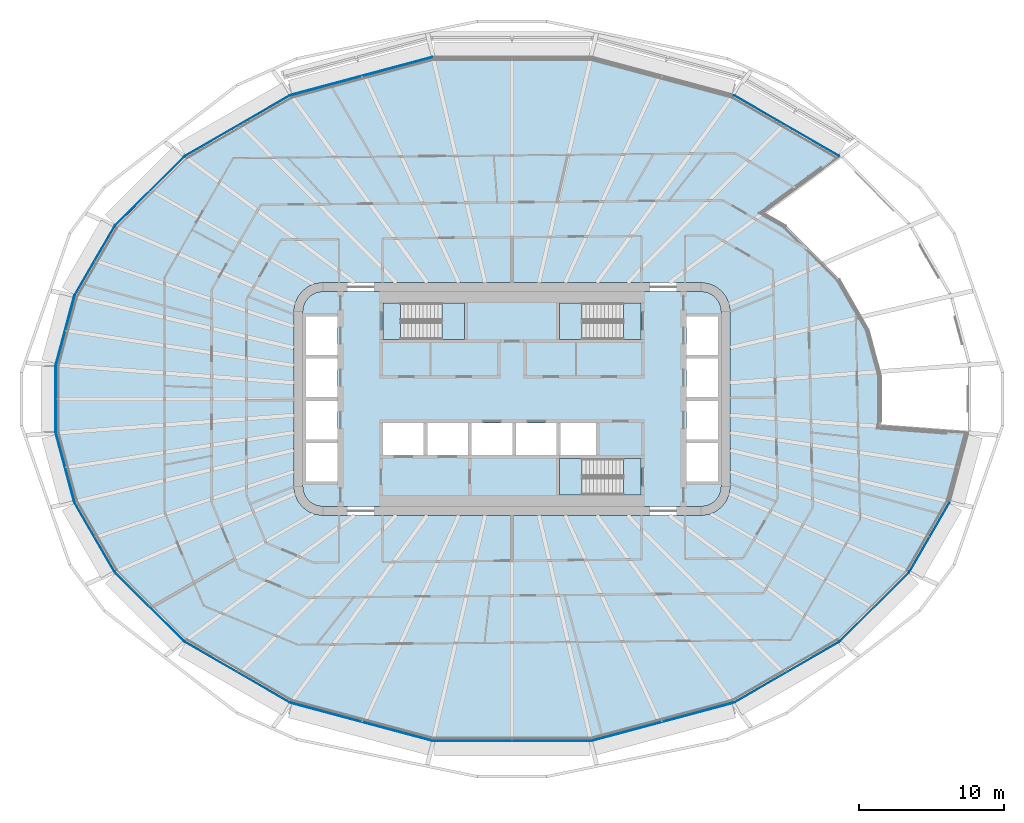
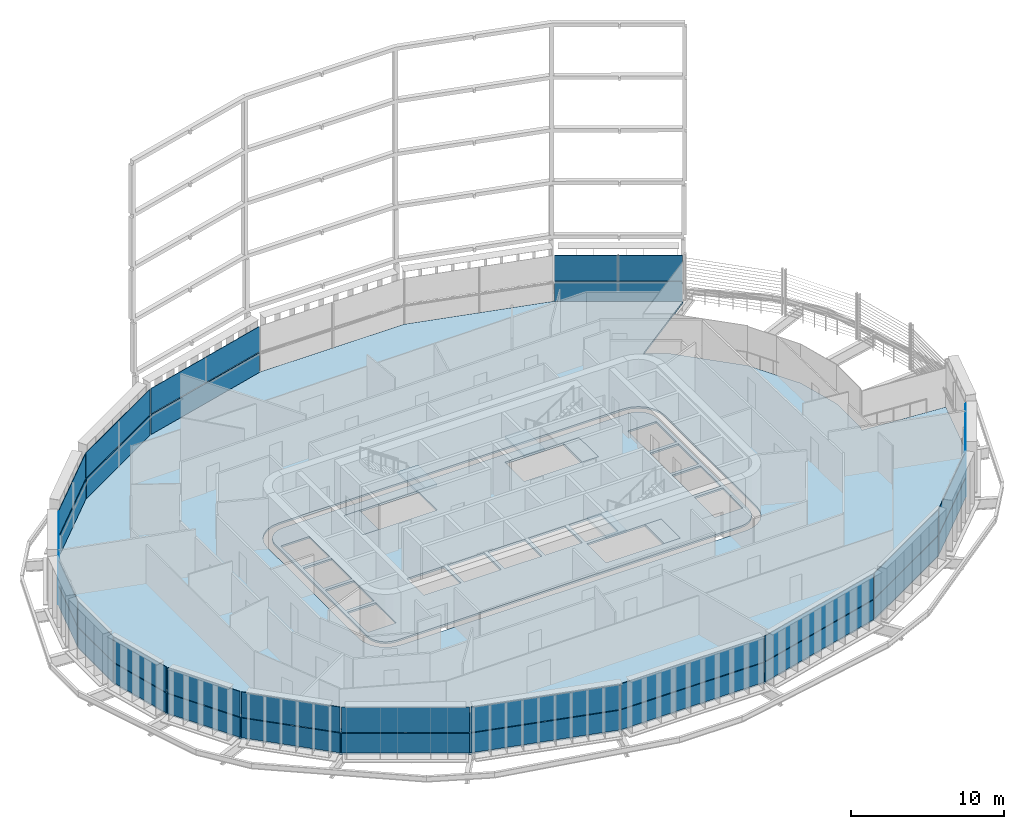
# One storey, part 13 of 28: 34 plates, 8 slabs, 20 elements without a shape of their own.
"""IFC4 building model written with IfcOpenShell, lengths in metres."""

from ifc_helpers import new_model, si_unit, direction, frame, origin, place, context, subcontext, project, spatial, polyline, outline, extrude, material, layer, layer_set, type_object, element, aggregate, save


model = new_model("IFC4")

# Units and contexts
model_context = context("Model", 3, precision=1e-05, world=origin(), true_north=direction((0.0, 1.0)))
body_context = subcontext(model_context, "Body", "Model", "MODEL_VIEW")
ifc_project = project(units=[si_unit("LENGTHUNIT", "METRE"), si_unit("AREAUNIT", "SQUARE_METRE"), si_unit("VOLUMEUNIT", "CUBIC_METRE"), si_unit("PLANEANGLEUNIT", "RADIAN"), si_unit("MASSUNIT", "GRAM", prefix="KILO")], contexts=[model_context])

# Site, building, storey
site_placement = place(None, origin())
site = spatial("IfcSite", under=ifc_project, at=site_placement, CompositionType="ELEMENT")
building_placement = place(site_placement, origin())
building = spatial("IfcBuilding", under=site, at=building_placement, Name="Sahrelin Media Tower", CompositionType="ELEMENT")
storey_placement = place(building_placement, frame((0.0, 0.0, 75.60009765625)))
storey = spatial("IfcBuildingStorey", under=building, at=storey_placement, Name="L13", CompositionType="ELEMENT", Elevation=75.60009765625)

# Slabs
ifc_material_1 = material(Name="Concrete C40/50", Category="concrete")
ifc_layer_1 = layer(ifc_material_1, 0.14990234375)
ifc_layer_set_1 = layer_set([ifc_layer_1], Name="Composite floor slab 150")
slab_type_1 = type_object("IfcSlabType", Name="Composite floor slab 150", PredefinedType="FLOOR", material=ifc_layer_set_1)
placement_1 = place(storey_placement, frame((0.0, 0.0, -0.150146484375)))
element("IfcSlab", 1, at=placement_1, inside=storey, type_object=slab_type_1, Name="Floor slab L13", PredefinedType="FLOOR", context=body_context, shape_type="SweptSolid", body=[
    extrude(outline(polyline([(30.08544921875, -7.060302734375), (31.3505859375, -2.33837890625), (25.281005859375, -1.8857421875), (25.37109375, -1.550048828125), (25.37109375, 1.550048828125), (24.512939453125, 4.752197265625), (22.517333984375, 8.208740234375), (18.845947265625, 11.880126953125), (17.2724609375, 12.78857421875), (22.5126953125, 16.668212890625), (15.208984375, 20.88525390625), (5.433837890625, 23.50439453125), (-5.433837890625, 23.50439453125), (-15.208984375, 20.88525390625), (-22.517822265625, 16.665283203125), (-27.302490234375, 11.880615234375), (-30.08544921875, 7.060302734375), (-31.35107421875, 2.33740234375), (-31.35107421875, -2.33740234375), (-30.08544921875, -7.060302734375), (-27.302490234375, -11.880615234375), (-22.517822265625, -16.665283203125), (-15.208984375, -20.88525390625), (-5.433837890625, -23.50439453125), (5.433837890625, -23.50439453125), (15.208984375, -20.88525390625), (22.517822265625, -16.665283203125), (27.302490234375, -11.880615234375), (30.08544921875, -7.060302734375)]), holes=[polyline([(14.732177734375, 7.0), (14.931884765625, 6.517578125), (15.0, 6.0), (15.0, -6.0), (14.931884765625, -6.517578125), (14.732177734375, -7.0), (14.414306640625, -7.414306640625), (14.0, -7.732177734375), (13.517578125, -7.931884765625), (13.0, -8.0), (-13.0, -8.0), (-13.517578125, -7.931884765625), (-14.0, -7.732177734375), (-14.414306640625, -7.414306640625), (-14.732177734375, -7.0), (-14.931884765625, -6.517578125), (-15.0, -6.0), (-15.0, 6.0), (-14.931884765625, 6.517578125), (-14.732177734375, 7.0), (-14.414306640625, 7.414306640625), (-14.0, 7.732177734375), (-13.517578125, 7.931884765625), (-13.0, 8.0), (13.0, 8.0), (13.517578125, 7.931884765625), (14.0, 7.732177734375), (14.414306640625, 7.414306640625), (14.732177734375, 7.0)])]), origin(), (0.0, 0.0, 1.0), 0.150146484375),
])
ifc_layer_2 = layer(ifc_material_1, 0.14990234375)
ifc_layer_set_2 = layer_set([ifc_layer_2], Name="Core floor slab 150")
slab_type_2 = type_object("IfcSlabType", Name="Core floor slab 150", PredefinedType="FLOOR", material=ifc_layer_set_2)
element("IfcSlab", 2, at=placement_1, inside=storey, type_object=slab_type_2, Name="Core floor", PredefinedType="FLOOR", context=body_context, shape_type="SweptSolid", body=[
    extrude(outline(polyline([(-14.347412109375, 6.361083984375), (-14.39990234375, 5.960693359375), (-14.39990234375, -5.960693359375), (-14.347412109375, -6.361083984375), (-14.2080078125, -6.697509765625), (-13.986328125, -6.986328125), (-13.697509765625, -7.2080078125), (-13.361083984375, -7.347412109375), (-12.960693359375, -7.39990234375), (12.960693359375, -7.39990234375), (13.361083984375, -7.347412109375), (13.697509765625, -7.2080078125), (13.986328125, -6.986328125), (14.2080078125, -6.697509765625), (14.347412109375, -6.361083984375), (14.39990234375, -5.960693359375), (14.39990234375, 5.960693359375), (14.347412109375, 6.361083984375), (14.2080078125, 6.697509765625), (13.986328125, 6.986328125), (13.697509765625, 7.2080078125), (13.361083984375, 7.347412109375), (12.960693359375, 7.39990234375), (-12.960693359375, 7.39990234375), (-13.361083984375, 7.347412109375), (-13.697509765625, 7.2080078125), (-13.986328125, 6.986328125), (-14.2080078125, 6.697509765625), (-14.347412109375, 6.361083984375)]), holes=[polyline([(-12.0, 3.02490234375), (-12.0, 5.675048828125), (-14.14990234375, 5.675048828125), (-14.14990234375, 3.02490234375), (-12.0, 3.02490234375)]), polyline([(-14.14990234375, 0.125), (-12.0, 0.125), (-12.0, 2.77490234375), (-14.14990234375, 2.77490234375), (-14.14990234375, 0.125)]), polyline([(-14.14990234375, -0.125), (-14.14990234375, -2.77490234375), (-12.0, -2.77490234375), (-12.0, -0.125), (-14.14990234375, -0.125)]), polyline([(-12.0, -3.02490234375), (-14.14990234375, -3.02490234375), (-14.14990234375, -5.675048828125), (-12.0, -5.675048828125), (-12.0, -3.02490234375)]), polyline([(14.14990234375, 3.02490234375), (14.14990234375, 5.675048828125), (12.0, 5.675048828125), (12.0, 3.02490234375), (14.14990234375, 3.02490234375)]), polyline([(12.0, 0.125), (14.14990234375, 0.125), (14.14990234375, 2.77490234375), (12.0, 2.77490234375), (12.0, 0.125)]), polyline([(12.0, -0.125), (12.0, -2.77490234375), (14.14990234375, -2.77490234375), (14.14990234375, -0.125), (12.0, -0.125)]), polyline([(14.14990234375, -3.02490234375), (12.0, -3.02490234375), (12.0, -5.675048828125), (14.14990234375, -5.675048828125), (14.14990234375, -3.02490234375)]), polyline([(-6.074951171875, -3.85009765625), (-6.074951171875, -1.64990234375), (-8.875, -1.64990234375), (-8.875, -3.85009765625), (-6.074951171875, -3.85009765625)]), polyline([(-5.824951171875, -3.85009765625), (-3.02490234375, -3.85009765625), (-3.02490234375, -1.64990234375), (-5.824951171875, -1.64990234375), (-5.824951171875, -3.85009765625)]), polyline([(-2.77490234375, -1.64990234375), (-2.77490234375, -3.85009765625), (0.02490234375, -3.85009765625), (0.02490234375, -1.64990234375), (-2.77490234375, -1.64990234375)]), polyline([(3.074951171875, -1.64990234375), (0.27490234375, -1.64990234375), (0.27490234375, -3.85009765625), (3.074951171875, -3.85009765625), (3.074951171875, -1.64990234375)]), polyline([(5.77490234375, -3.85009765625), (5.77490234375, -1.64990234375), (3.324951171875, -1.64990234375), (3.324951171875, -3.85009765625), (5.77490234375, -3.85009765625)]), polyline([(-8.875, 6.60009765625), (-8.875, 4.10009765625), (-3.27490234375, 4.10009765625), (-3.27490234375, 6.60009765625), (-8.875, 6.60009765625)]), polyline([(3.27490234375, 4.10009765625), (8.875, 4.10009765625), (8.875, 6.60009765625), (3.27490234375, 6.60009765625), (3.27490234375, 4.10009765625)]), polyline([(3.27490234375, -4.10009765625), (3.27490234375, -6.60009765625), (8.875, -6.60009765625), (8.875, -4.10009765625), (3.27490234375, -4.10009765625)])]), origin(), (0.0, 0.0, 1.0), 0.150146484375),
])

# Curtain wall, plate
ifc_material_2 = material(Name="Champagne anodised aluminium 6063-T6", Category="aluminium")
ifc_layer_3 = layer(ifc_material_2, 0.14990234375)
ifc_layer_set_3 = layer_set([ifc_layer_3], Name="Tower ribbon curtain wall")
curtain_wall_type = type_object("IfcCurtainWallType", Name="Tower ribbon curtain wall", PredefinedType="NOTDEFINED", material=ifc_layer_set_3)
curtain_wall_1_placement = place(storey_placement, frame((18.873291015625, 18.79248046875, 0.0), z_axis=(0.0, 0.0, 1.0), x_axis=(1.0, 0.0, 0.0)))
curtain_wall_1 = element("IfcCurtainWall", 3, at=curtain_wall_1_placement, inside=storey, type_object=curtain_wall_type, Name="L13:CW:L13-04", PredefinedType="NOTDEFINED")
ifc_material_3 = material(Name="Clear low-iron glazing", Category="glass")
ifc_layer_4 = layer(ifc_material_3, 0.0400390625)
ifc_layer_set_4 = layer_set([ifc_layer_4], Name="Glazing panel 40 mm CW1")
plate_type_1 = type_object("IfcPlateType", Name="Glazing panel 40 mm CW1", PredefinedType="CURTAIN_PANEL", material=ifc_layer_set_4)
plate_1_placement = place(storey_placement, frame((22.496826171875, 16.7236328125, 1.6298828125), z_axis=(0.499996811348, 0.866027244746, 0.0), x_axis=(-0.866027244746, 0.499996811348, 0.0)))
plate_1 = element("IfcPlate", 4, at=plate_1_placement, type_object=plate_type_1, Name="L13:CWP2:L13-04", PredefinedType="CURTAIN_PANEL", context=body_context, shape_type="SweptSolid", body=[
    extrude(outline(polyline([(0.0, 0.0), (8.3447265625, 0.0), (8.3447265625, 2.0185546875), (0.0, 2.0185546875), (0.0, 0.0)])), origin(), (0.0, 0.0, -1.0), 0.0400390625),
])

curtain_wall_2_placement = place(storey_placement, frame((-10.32666015625, 22.214111328125, 0.0), z_axis=(0.0, 0.0, 1.0), x_axis=(1.0, 0.0, 0.0)))
curtain_wall_2 = element("IfcCurtainWall", 5, at=curtain_wall_2_placement, inside=storey, type_object=curtain_wall_type, Name="L13:CW:L13-07", PredefinedType="NOTDEFINED")
plate_2_placement = place(storey_placement, frame((-5.489990234375, 23.53076171875, 1.6298828125), z_axis=(-0.258820481807, 0.965925441324, 0.0), x_axis=(-0.965925441324, -0.258820481807, 0.0)))
plate_2 = element("IfcPlate", 6, at=plate_2_placement, type_object=plate_type_1, Name="L13:CWP2:L13-07", PredefinedType="CURTAIN_PANEL", context=body_context, shape_type="SweptSolid", body=[
    extrude(outline(polyline([(0.0, 0.0), (10.025146484375, 0.0), (10.025146484375, 2.0185546875), (0.0, 2.0185546875), (0.0, 0.0)])), origin(), (0.0, 0.0, -1.0), 0.0400390625),
])

curtain_wall_3_placement = place(storey_placement, frame((-18.873291015625, 18.79248046875, 0.0), z_axis=(0.0, 0.0, 1.0), x_axis=(1.0, 0.0, 0.0)))
curtain_wall_3 = element("IfcCurtainWall", 7, at=curtain_wall_3_placement, inside=storey, type_object=curtain_wall_type, Name="L13:CW:L13-08", PredefinedType="NOTDEFINED")
plate_3_placement = place(storey_placement, frame((-15.27001953125, 20.89599609375, 1.6298828125), z_axis=(-0.499996811348, 0.866027244746, 0.0), x_axis=(-0.866027244746, -0.499996811348, 0.0)))
plate_3 = element("IfcPlate", 8, at=plate_3_placement, type_object=plate_type_1, Name="L13:CWP2:L13-08", PredefinedType="CURTAIN_PANEL", context=body_context, shape_type="SweptSolid", body=[
    extrude(outline(polyline([(0.0, 0.0), (8.3447265625, 0.0), (8.3447265625, 2.0185546875), (0.0, 2.0185546875), (0.0, 0.0)])), origin(), (0.0, 0.0, -1.0), 0.0400390625),
])

curtain_wall_4_placement = place(storey_placement, frame((-24.92431640625, 14.287109375, 0.0), z_axis=(0.0, 0.0, 1.0), x_axis=(1.0, 0.0, 0.0)))
curtain_wall_4 = element("IfcCurtainWall", 9, at=curtain_wall_4_placement, inside=storey, type_object=curtain_wall_type, Name="L13:CW:L13-09", PredefinedType="NOTDEFINED")
plate_4_placement = place(storey_placement, frame((-22.57958984375, 16.66015625, 1.6298828125), z_axis=(-0.707106781187, 0.707106781187, 0.0), x_axis=(-0.707106781187, -0.707106781187, 0.0)))
plate_4 = element("IfcPlate", 10, at=plate_4_placement, type_object=plate_type_1, Name="L13:CWP2:L13-09", PredefinedType="CURTAIN_PANEL", context=body_context, shape_type="SweptSolid", body=[
    extrude(outline(polyline([(0.0, 0.0), (6.671875, 0.0), (6.671875, 2.0185546875), (0.0, 2.0185546875), (0.0, 0.0)])), origin(), (0.0, 0.0, -1.0), 0.0400390625),
])

curtain_wall_5_placement = place(storey_placement, frame((-28.711181640625, 9.48046875, 0.0), z_axis=(0.0, 0.0, 1.0), x_axis=(1.0, 0.0, 0.0)))
curtain_wall_5 = element("IfcCurtainWall", 11, at=curtain_wall_5_placement, inside=storey, type_object=curtain_wall_type, Name="L13:CW:L13-10", PredefinedType="NOTDEFINED")
plate_5_placement = place(storey_placement, frame((-27.36083984375, 11.859619140625, 1.6298828125), z_axis=(-0.866029539139, 0.499992837287, 0.0), x_axis=(-0.499992837287, -0.866029539139, 0.0)))
plate_5 = element("IfcPlate", 12, at=plate_5_placement, type_object=plate_type_1, Name="L13:CWP2:L13-10", PredefinedType="CURTAIN_PANEL", context=body_context, shape_type="SweptSolid", body=[
    extrude(outline(polyline([(0.0, 0.0), (5.47119140625, 0.0), (5.47119140625, 2.0185546875), (0.0, 2.0185546875), (0.0, 0.0)])), origin(), (0.0, 0.0, -1.0), 0.0400390625),
])

curtain_wall_6_placement = place(storey_placement, frame((-30.737548828125, 4.7041015625, 0.0), z_axis=(0.0, 0.0, 1.0), x_axis=(1.0, 0.0, 0.0)))
curtain_wall_6 = element("IfcCurtainWall", 13, at=curtain_wall_6_placement, inside=storey, type_object=curtain_wall_type, Name="L13:CW:L13-11", PredefinedType="NOTDEFINED")
plate_6_placement = place(storey_placement, frame((-30.136474609375, 7.02490234375, 1.6298828125), z_axis=(-0.965925777667, 0.258819226562, 0.0), x_axis=(-0.258819226562, -0.965925777667, 0.0)))
plate_6 = element("IfcPlate", 14, at=plate_6_placement, type_object=plate_type_1, Name="L13:CWP2:L13-11", PredefinedType="CURTAIN_PANEL", context=body_context, shape_type="SweptSolid", body=[
    extrude(outline(polyline([(0.0, 0.0), (4.794677734375, 0.0), (4.794677734375, 2.0185546875), (0.0, 2.0185546875), (0.0, 0.0)])), origin(), (0.0, 0.0, -1.0), 0.0400390625),
])

curtain_wall_7_placement = place(storey_placement, frame((-31.37109375, 0.0, 0.0), z_axis=(0.0, 0.0, 1.0), x_axis=(1.0, 0.0, 0.0)))
curtain_wall_7 = element("IfcCurtainWall", 15, at=curtain_wall_7_placement, inside=storey, type_object=curtain_wall_type, Name="L13:CW:L13-12", PredefinedType="NOTDEFINED")
plate_7_placement = place(storey_placement, frame((-31.39111328125, 2.2900390625, 1.6298828125), z_axis=(-1.0, 0.0, 0.0), x_axis=(0.0, -1.0, 0.0)))
plate_7 = element("IfcPlate", 16, at=plate_7_placement, type_object=plate_type_1, Name="L13:CWP2:L13-12", PredefinedType="CURTAIN_PANEL", context=body_context, shape_type="SweptSolid", body=[
    extrude(outline(polyline([(0.0, 0.0), (4.580078125, 0.0), (4.580078125, 2.0185546875), (0.0, 2.0185546875), (0.0, 0.0)])), origin(), (0.0, 0.0, -1.0), 0.0400390625),
])

curtain_wall_8_placement = place(storey_placement, frame((-30.737548828125, -4.7041015625, 0.0), z_axis=(0.0, 0.0, 1.0), x_axis=(1.0, 0.0, 0.0)))
curtain_wall_8 = element("IfcCurtainWall", 17, at=curtain_wall_8_placement, inside=storey, type_object=curtain_wall_type, Name="L13:CW:L13-13", PredefinedType="NOTDEFINED")
plate_8_placement = place(storey_placement, frame((-31.37744140625, -2.3935546875, 1.6298828125), z_axis=(-0.965925777667, -0.258819226562, 0.0), x_axis=(0.258819226562, -0.965925777667, 0.0)))
plate_8 = element("IfcPlate", 18, at=plate_8_placement, type_object=plate_type_1, Name="L13:CWP2:L13-13", PredefinedType="CURTAIN_PANEL", context=body_context, shape_type="SweptSolid", body=[
    extrude(outline(polyline([(0.0, 0.0), (4.794677734375, 0.0), (4.794677734375, 2.0185546875), (0.0, 2.0185546875), (0.0, 0.0)])), origin(), (0.0, 0.0, -1.0), 0.0400390625),
])

curtain_wall_9_placement = place(storey_placement, frame((-28.711181640625, -9.48046875, 0.0), z_axis=(0.0, 0.0, 1.0), x_axis=(1.0, 0.0, 0.0)))
curtain_wall_9 = element("IfcCurtainWall", 19, at=curtain_wall_9_placement, inside=storey, type_object=curtain_wall_type, Name="L13:CW:L13-14", PredefinedType="NOTDEFINED")
plate_9_placement = place(storey_placement, frame((-30.096435546875, -7.121337890625, 1.6298828125), z_axis=(-0.866029539139, -0.499992837287, 0.0), x_axis=(0.499992837287, -0.866029539139, 0.0)))
plate_9 = element("IfcPlate", 20, at=plate_9_placement, type_object=plate_type_1, Name="L13:CWP2:L13-14", PredefinedType="CURTAIN_PANEL", context=body_context, shape_type="SweptSolid", body=[
    extrude(outline(polyline([(0.0, 0.0), (5.47119140625, 0.0), (5.47119140625, 2.0185546875), (0.0, 2.0185546875), (0.0, 0.0)])), origin(), (0.0, 0.0, -1.0), 0.0400390625),
])

curtain_wall_10_placement = place(storey_placement, frame((-24.92431640625, -14.287109375, 0.0), z_axis=(0.0, 0.0, 1.0), x_axis=(1.0, 0.0, 0.0)))
curtain_wall_10 = element("IfcCurtainWall", 21, at=curtain_wall_10_placement, inside=storey, type_object=curtain_wall_type, Name="L13:CW:L13-15", PredefinedType="NOTDEFINED")
plate_10_placement = place(storey_placement, frame((-27.29736328125, -11.9423828125, 1.6298828125), z_axis=(-0.707106781187, -0.707106781187, 0.0), x_axis=(0.707106781187, -0.707106781187, 0.0)))
plate_10 = element("IfcPlate", 22, at=plate_10_placement, type_object=plate_type_1, Name="L13:CWP2:L13-15", PredefinedType="CURTAIN_PANEL", context=body_context, shape_type="SweptSolid", body=[
    extrude(outline(polyline([(0.0, 0.0), (6.671875, 0.0), (6.671875, 2.0185546875), (0.0, 2.0185546875), (0.0, 0.0)])), origin(), (0.0, 0.0, -1.0), 0.0400390625),
])

curtain_wall_11_placement = place(storey_placement, frame((-18.873291015625, -18.79248046875, 0.0), z_axis=(0.0, 0.0, 1.0), x_axis=(1.0, 0.0, 0.0)))
curtain_wall_11 = element("IfcCurtainWall", 23, at=curtain_wall_11_placement, inside=storey, type_object=curtain_wall_type, Name="L13:CW:L13-16", PredefinedType="NOTDEFINED")
plate_11_placement = place(storey_placement, frame((-22.496826171875, -16.7236328125, 1.6298828125), z_axis=(-0.499996811348, -0.866027244746, 0.0), x_axis=(0.866027244746, -0.499996811348, 0.0)))
plate_11 = element("IfcPlate", 24, at=plate_11_placement, type_object=plate_type_1, Name="L13:CWP2:L13-16", PredefinedType="CURTAIN_PANEL", context=body_context, shape_type="SweptSolid", body=[
    extrude(outline(polyline([(0.0, 0.0), (8.3447265625, 0.0), (8.3447265625, 2.0185546875), (0.0, 2.0185546875), (0.0, 0.0)])), origin(), (0.0, 0.0, -1.0), 0.0400390625),
])

curtain_wall_12_placement = place(storey_placement, frame((-10.326416015625, -22.214111328125, 0.0), z_axis=(0.0, 0.0, 1.0), x_axis=(1.0, 0.0, 0.0)))
curtain_wall_12 = element("IfcCurtainWall", 25, at=curtain_wall_12_placement, inside=storey, type_object=curtain_wall_type, Name="L13:CW:L13-17", PredefinedType="NOTDEFINED")
plate_12_placement = place(storey_placement, frame((-15.173583984375, -20.93603515625, 1.6298828125), z_axis=(-0.258820481807, -0.965925441324, 0.0), x_axis=(0.965925441324, -0.258820481807, 0.0)))
plate_12 = element("IfcPlate", 26, at=plate_12_placement, type_object=plate_type_1, Name="L13:CWP2:L13-17", PredefinedType="CURTAIN_PANEL", context=body_context, shape_type="SweptSolid", body=[
    extrude(outline(polyline([(0.0, 0.0), (10.025146484375, 0.0), (10.025146484375, 2.0185546875), (0.0, 2.0185546875), (0.0, 0.0)])), origin(), (0.0, 0.0, -1.0), 0.0400390625),
])

curtain_wall_13_placement = place(storey_placement, frame((0.0, -23.5244140625, 0.0), z_axis=(0.0, 0.0, 1.0), x_axis=(1.0, 0.0, 0.0)))
curtain_wall_13 = element("IfcCurtainWall", 27, at=curtain_wall_13_placement, inside=storey, type_object=curtain_wall_type, Name="L13:CW:L13-18", PredefinedType="NOTDEFINED")
plate_13_placement = place(storey_placement, frame((-5.386474609375, -23.54443359375, 1.6298828125), z_axis=(0.0, -1.0, 0.0), x_axis=(1.0, 0.0, 0.0)))
plate_13 = element("IfcPlate", 28, at=plate_13_placement, type_object=plate_type_1, Name="L13:CWP2:L13-18", PredefinedType="CURTAIN_PANEL", context=body_context, shape_type="SweptSolid", body=[
    extrude(outline(polyline([(0.0, 0.0), (10.77294921875, 0.0), (10.77294921875, 2.0185546875), (0.0, 2.0185546875), (0.0, 0.0)])), origin(), (0.0, 0.0, -1.0), 0.0400390625),
])

curtain_wall_14_placement = place(storey_placement, frame((10.32666015625, -22.214111328125, 0.0), z_axis=(0.0, 0.0, 1.0), x_axis=(1.0, 0.0, 0.0)))
curtain_wall_14 = element("IfcCurtainWall", 29, at=curtain_wall_14_placement, inside=storey, type_object=curtain_wall_type, Name="L13:CW:L13-19", PredefinedType="NOTDEFINED")
plate_14_placement = place(storey_placement, frame((5.489990234375, -23.53076171875, 1.6298828125), z_axis=(0.258820481807, -0.965925441324, 0.0), x_axis=(0.965925441324, 0.258820481807, 0.0)))
plate_14 = element("IfcPlate", 30, at=plate_14_placement, type_object=plate_type_1, Name="L13:CWP2:L13-19", PredefinedType="CURTAIN_PANEL", context=body_context, shape_type="SweptSolid", body=[
    extrude(outline(polyline([(0.0, 0.0), (10.025146484375, 0.0), (10.025146484375, 2.0185546875), (0.0, 2.0185546875), (0.0, 0.0)])), origin(), (0.0, 0.0, -1.0), 0.0400390625),
])

curtain_wall_15_placement = place(storey_placement, frame((18.873291015625, -18.79248046875, 0.0), z_axis=(0.0, 0.0, 1.0), x_axis=(1.0, 0.0, 0.0)))
curtain_wall_15 = element("IfcCurtainWall", 31, at=curtain_wall_15_placement, inside=storey, type_object=curtain_wall_type, Name="L13:CW:L13-20", PredefinedType="NOTDEFINED")
plate_15_placement = place(storey_placement, frame((15.27001953125, -20.89599609375, 1.6298828125), z_axis=(0.499996811348, -0.866027244746, 0.0), x_axis=(0.866027244746, 0.499996811348, 0.0)))
plate_15 = element("IfcPlate", 32, at=plate_15_placement, type_object=plate_type_1, Name="L13:CWP2:L13-20", PredefinedType="CURTAIN_PANEL", context=body_context, shape_type="SweptSolid", body=[
    extrude(outline(polyline([(0.0, 0.0), (8.3447265625, 0.0), (8.3447265625, 2.0185546875), (0.0, 2.0185546875), (0.0, 0.0)])), origin(), (0.0, 0.0, -1.0), 0.0400390625),
])

curtain_wall_16_placement = place(storey_placement, frame((24.92431640625, -14.287109375, 0.0), z_axis=(0.0, 0.0, 1.0), x_axis=(1.0, 0.0, 0.0)))
curtain_wall_16 = element("IfcCurtainWall", 33, at=curtain_wall_16_placement, inside=storey, type_object=curtain_wall_type, Name="L13:CW:L13-21", PredefinedType="NOTDEFINED")
plate_16_placement = place(storey_placement, frame((22.57958984375, -16.66015625, 1.6298828125), z_axis=(0.707106781187, -0.707106781187, 0.0), x_axis=(0.707106781187, 0.707106781187, 0.0)))
plate_16 = element("IfcPlate", 34, at=plate_16_placement, type_object=plate_type_1, Name="L13:CWP2:L13-21", PredefinedType="CURTAIN_PANEL", context=body_context, shape_type="SweptSolid", body=[
    extrude(outline(polyline([(0.0, 0.0), (6.671875, 0.0), (6.671875, 2.0185546875), (0.0, 2.0185546875), (0.0, 0.0)])), origin(), (0.0, 0.0, -1.0), 0.0400390625),
])

curtain_wall_17_placement = place(storey_placement, frame((28.711181640625, -9.48046875, 0.0), z_axis=(0.0, 0.0, 1.0), x_axis=(1.0, 0.0, 0.0)))
curtain_wall_17 = element("IfcCurtainWall", 35, at=curtain_wall_17_placement, inside=storey, type_object=curtain_wall_type, Name="L13:CW:L13-22", PredefinedType="NOTDEFINED")
plate_17_placement = place(storey_placement, frame((27.36083984375, -11.859619140625, 1.6298828125), z_axis=(0.866029539139, -0.499992837287, 0.0), x_axis=(0.499992837287, 0.866029539139, 0.0)))
plate_17 = element("IfcPlate", 36, at=plate_17_placement, type_object=plate_type_1, Name="L13:CWP2:L13-22", PredefinedType="CURTAIN_PANEL", context=body_context, shape_type="SweptSolid", body=[
    extrude(outline(polyline([(0.0, 0.0), (5.47119140625, 0.0), (5.47119140625, 2.0185546875), (0.0, 2.0185546875), (0.0, 0.0)])), origin(), (0.0, 0.0, -1.0), 0.0400390625),
])

# Plate
ifc_material_4 = material(Name="Insulated spandrel panel")
ifc_layer_5 = layer(ifc_material_4, 0.06005859375)
ifc_layer_set_5 = layer_set([ifc_layer_5], Name="Spandrel panel 60 mm CW1")
plate_type_2 = type_object("IfcPlateType", Name="Spandrel panel 60 mm CW1", PredefinedType="SHEET", material=ifc_layer_set_5)
plate_18_placement = place(storey_placement, frame((22.496826171875, 16.7236328125, 0.0), z_axis=(0.499996811348, 0.866027244746, 0.0), x_axis=(-0.866027244746, 0.499996811348, 0.0)))
plate_18 = element("IfcPlate", 37, at=plate_18_placement, type_object=plate_type_2, Name="L13:CWP1:L13-04", PredefinedType="SHEET", context=body_context, shape_type="SweptSolid", body=[
    extrude(outline(polyline([(0.0, 0.0), (8.3447265625, 0.0), (8.3447265625, 1.56982421875), (0.0, 1.56982421875), (0.0, 0.0)])), origin(), (0.0, 0.0, -1.0), 0.06005859375),
])

aggregate(curtain_wall_1, [plate_18, plate_1])

plate_19_placement = place(storey_placement, frame((-5.489990234375, 23.53076171875, 0.0), z_axis=(-0.258820481807, 0.965925441324, 0.0), x_axis=(-0.965925441324, -0.258820481807, 0.0)))
plate_19 = element("IfcPlate", 38, at=plate_19_placement, type_object=plate_type_2, Name="L13:CWP1:L13-07", PredefinedType="SHEET", context=body_context, shape_type="SweptSolid", body=[
    extrude(outline(polyline([(0.0, 0.0), (10.025146484375, 0.0), (10.025146484375, 1.56982421875), (0.0, 1.56982421875), (0.0, 0.0)])), origin(), (0.0, 0.0, -1.0), 0.06005859375),
])

aggregate(curtain_wall_2, [plate_19, plate_2])

plate_20_placement = place(storey_placement, frame((-15.27001953125, 20.89599609375, 0.0), z_axis=(-0.499996811348, 0.866027244746, 0.0), x_axis=(-0.866027244746, -0.499996811348, 0.0)))
plate_20 = element("IfcPlate", 39, at=plate_20_placement, type_object=plate_type_2, Name="L13:CWP1:L13-08", PredefinedType="SHEET", context=body_context, shape_type="SweptSolid", body=[
    extrude(outline(polyline([(0.0, 0.0), (8.3447265625, 0.0), (8.3447265625, 1.56982421875), (0.0, 1.56982421875), (0.0, 0.0)])), origin(), (0.0, 0.0, -1.0), 0.06005859375),
])

aggregate(curtain_wall_3, [plate_20, plate_3])

plate_21_placement = place(storey_placement, frame((-22.57958984375, 16.66015625, 0.0), z_axis=(-0.707106781187, 0.707106781187, 0.0), x_axis=(-0.707106781187, -0.707106781187, 0.0)))
plate_21 = element("IfcPlate", 40, at=plate_21_placement, type_object=plate_type_2, Name="L13:CWP1:L13-09", PredefinedType="SHEET", context=body_context, shape_type="SweptSolid", body=[
    extrude(outline(polyline([(0.0, 0.0), (6.671875, 0.0), (6.671875, 1.56982421875), (0.0, 1.56982421875), (0.0, 0.0)])), origin(), (0.0, 0.0, -1.0), 0.06005859375),
])

aggregate(curtain_wall_4, [plate_21, plate_4])

plate_22_placement = place(storey_placement, frame((-27.36083984375, 11.859619140625, 0.0), z_axis=(-0.866029539139, 0.499992837287, 0.0), x_axis=(-0.499992837287, -0.866029539139, 0.0)))
plate_22 = element("IfcPlate", 41, at=plate_22_placement, type_object=plate_type_2, Name="L13:CWP1:L13-10", PredefinedType="SHEET", context=body_context, shape_type="SweptSolid", body=[
    extrude(outline(polyline([(0.0, 0.0), (5.47119140625, 0.0), (5.47119140625, 1.56982421875), (0.0, 1.56982421875), (0.0, 0.0)])), origin(), (0.0, 0.0, -1.0), 0.06005859375),
])

aggregate(curtain_wall_5, [plate_22, plate_5])

plate_23_placement = place(storey_placement, frame((-30.136474609375, 7.02490234375, 0.0), z_axis=(-0.965925777667, 0.258819226562, 0.0), x_axis=(-0.258819226562, -0.965925777667, 0.0)))
plate_23 = element("IfcPlate", 42, at=plate_23_placement, type_object=plate_type_2, Name="L13:CWP1:L13-11", PredefinedType="SHEET", context=body_context, shape_type="SweptSolid", body=[
    extrude(outline(polyline([(0.0, 0.0), (4.794677734375, 0.0), (4.794677734375, 1.56982421875), (0.0, 1.56982421875), (0.0, 0.0)])), origin(), (0.0, 0.0, -1.0), 0.06005859375),
])

aggregate(curtain_wall_6, [plate_23, plate_6])

plate_24_placement = place(storey_placement, frame((-31.39111328125, 2.2900390625, 0.0), z_axis=(-1.0, 0.0, 0.0), x_axis=(0.0, -1.0, 0.0)))
plate_24 = element("IfcPlate", 43, at=plate_24_placement, type_object=plate_type_2, Name="L13:CWP1:L13-12", PredefinedType="SHEET", context=body_context, shape_type="SweptSolid", body=[
    extrude(outline(polyline([(0.0, 0.0), (4.580078125, 0.0), (4.580078125, 1.56982421875), (0.0, 1.56982421875), (0.0, 0.0)])), origin(), (0.0, 0.0, -1.0), 0.06005859375),
])

aggregate(curtain_wall_7, [plate_24, plate_7])

plate_25_placement = place(storey_placement, frame((-31.37744140625, -2.3935546875, 0.0), z_axis=(-0.965925777667, -0.258819226562, 0.0), x_axis=(0.258819226562, -0.965925777667, 0.0)))
plate_25 = element("IfcPlate", 44, at=plate_25_placement, type_object=plate_type_2, Name="L13:CWP1:L13-13", PredefinedType="SHEET", context=body_context, shape_type="SweptSolid", body=[
    extrude(outline(polyline([(0.0, 0.0), (4.794677734375, 0.0), (4.794677734375, 1.56982421875), (0.0, 1.56982421875), (0.0, 0.0)])), origin(), (0.0, 0.0, -1.0), 0.06005859375),
])

aggregate(curtain_wall_8, [plate_25, plate_8])

plate_26_placement = place(storey_placement, frame((-30.096435546875, -7.121337890625, 0.0), z_axis=(-0.866029539139, -0.499992837287, 0.0), x_axis=(0.499992837287, -0.866029539139, 0.0)))
plate_26 = element("IfcPlate", 45, at=plate_26_placement, type_object=plate_type_2, Name="L13:CWP1:L13-14", PredefinedType="SHEET", context=body_context, shape_type="SweptSolid", body=[
    extrude(outline(polyline([(0.0, 0.0), (5.47119140625, 0.0), (5.47119140625, 1.56982421875), (0.0, 1.56982421875), (0.0, 0.0)])), origin(), (0.0, 0.0, -1.0), 0.06005859375),
])

aggregate(curtain_wall_9, [plate_26, plate_9])

plate_27_placement = place(storey_placement, frame((-27.29736328125, -11.9423828125, 0.0), z_axis=(-0.707106781187, -0.707106781187, 0.0), x_axis=(0.707106781187, -0.707106781187, 0.0)))
plate_27 = element("IfcPlate", 46, at=plate_27_placement, type_object=plate_type_2, Name="L13:CWP1:L13-15", PredefinedType="SHEET", context=body_context, shape_type="SweptSolid", body=[
    extrude(outline(polyline([(0.0, 0.0), (6.671875, 0.0), (6.671875, 1.56982421875), (0.0, 1.56982421875), (0.0, 0.0)])), origin(), (0.0, 0.0, -1.0), 0.06005859375),
])

aggregate(curtain_wall_10, [plate_27, plate_10])

plate_28_placement = place(storey_placement, frame((-22.496826171875, -16.7236328125, 0.0), z_axis=(-0.499996811348, -0.866027244746, 0.0), x_axis=(0.866027244746, -0.499996811348, 0.0)))
plate_28 = element("IfcPlate", 47, at=plate_28_placement, type_object=plate_type_2, Name="L13:CWP1:L13-16", PredefinedType="SHEET", context=body_context, shape_type="SweptSolid", body=[
    extrude(outline(polyline([(0.0, 0.0), (8.3447265625, 0.0), (8.3447265625, 1.56982421875), (0.0, 1.56982421875), (0.0, 0.0)])), origin(), (0.0, 0.0, -1.0), 0.06005859375),
])

aggregate(curtain_wall_11, [plate_28, plate_11])

plate_29_placement = place(storey_placement, frame((-15.173583984375, -20.93603515625, 0.0), z_axis=(-0.258820481807, -0.965925441324, 0.0), x_axis=(0.965925441324, -0.258820481807, 0.0)))
plate_29 = element("IfcPlate", 48, at=plate_29_placement, type_object=plate_type_2, Name="L13:CWP1:L13-17", PredefinedType="SHEET", context=body_context, shape_type="SweptSolid", body=[
    extrude(outline(polyline([(0.0, 0.0), (10.025146484375, 0.0), (10.025146484375, 1.56982421875), (0.0, 1.56982421875), (0.0, 0.0)])), origin(), (0.0, 0.0, -1.0), 0.06005859375),
])

aggregate(curtain_wall_12, [plate_29, plate_12])

plate_30_placement = place(storey_placement, frame((-5.386474609375, -23.54443359375, 0.0), z_axis=(0.0, -1.0, 0.0), x_axis=(1.0, 0.0, 0.0)))
plate_30 = element("IfcPlate", 49, at=plate_30_placement, type_object=plate_type_2, Name="L13:CWP1:L13-18", PredefinedType="SHEET", context=body_context, shape_type="SweptSolid", body=[
    extrude(outline(polyline([(0.0, 0.0), (10.77294921875, 0.0), (10.77294921875, 1.56982421875), (0.0, 1.56982421875), (0.0, 0.0)])), origin(), (0.0, 0.0, -1.0), 0.06005859375),
])

aggregate(curtain_wall_13, [plate_30, plate_13])

plate_31_placement = place(storey_placement, frame((5.489990234375, -23.53076171875, 0.0), z_axis=(0.258820481807, -0.965925441324, 0.0), x_axis=(0.965925441324, 0.258820481807, 0.0)))
plate_31 = element("IfcPlate", 50, at=plate_31_placement, type_object=plate_type_2, Name="L13:CWP1:L13-19", PredefinedType="SHEET", context=body_context, shape_type="SweptSolid", body=[
    extrude(outline(polyline([(0.0, 0.0), (10.025146484375, 0.0), (10.025146484375, 1.56982421875), (0.0, 1.56982421875), (0.0, 0.0)])), origin(), (0.0, 0.0, -1.0), 0.06005859375),
])

aggregate(curtain_wall_14, [plate_31, plate_14])

plate_32_placement = place(storey_placement, frame((15.27001953125, -20.89599609375, 0.0), z_axis=(0.499996811348, -0.866027244746, 0.0), x_axis=(0.866027244746, 0.499996811348, 0.0)))
plate_32 = element("IfcPlate", 51, at=plate_32_placement, type_object=plate_type_2, Name="L13:CWP1:L13-20", PredefinedType="SHEET", context=body_context, shape_type="SweptSolid", body=[
    extrude(outline(polyline([(0.0, 0.0), (8.3447265625, 0.0), (8.3447265625, 1.56982421875), (0.0, 1.56982421875), (0.0, 0.0)])), origin(), (0.0, 0.0, -1.0), 0.06005859375),
])

aggregate(curtain_wall_15, [plate_32, plate_15])

plate_33_placement = place(storey_placement, frame((22.57958984375, -16.66015625, 0.0), z_axis=(0.707106781187, -0.707106781187, 0.0), x_axis=(0.707106781187, 0.707106781187, 0.0)))
plate_33 = element("IfcPlate", 52, at=plate_33_placement, type_object=plate_type_2, Name="L13:CWP1:L13-21", PredefinedType="SHEET", context=body_context, shape_type="SweptSolid", body=[
    extrude(outline(polyline([(0.0, 0.0), (6.671875, 0.0), (6.671875, 1.56982421875), (0.0, 1.56982421875), (0.0, 0.0)])), origin(), (0.0, 0.0, -1.0), 0.06005859375),
])

aggregate(curtain_wall_16, [plate_33, plate_16])

plate_34_placement = place(storey_placement, frame((27.36083984375, -11.859619140625, 0.0), z_axis=(0.866029539139, -0.499992837287, 0.0), x_axis=(0.499992837287, 0.866029539139, 0.0)))
plate_34 = element("IfcPlate", 53, at=plate_34_placement, type_object=plate_type_2, Name="L13:CWP1:L13-22", PredefinedType="SHEET", context=body_context, shape_type="SweptSolid", body=[
    extrude(outline(polyline([(0.0, 0.0), (5.47119140625, 0.0), (5.47119140625, 1.56982421875), (0.0, 1.56982421875), (0.0, 0.0)])), origin(), (0.0, 0.0, -1.0), 0.06005859375),
])

aggregate(curtain_wall_17, [plate_34, plate_17])

# Stair, slabs
stair_type = type_object("IfcStairType", Name="Exit stair 1200", PredefinedType="HALF_TURN_STAIR", material=ifc_material_1)
placement_2 = place(storey_placement, origin())
stair_1 = element("IfcStair", 54, at=placement_2, inside=storey, type_object=stair_type, Name="L13 Exit stair ST1", PredefinedType="HALF_TURN_STAIR")
ifc_layer_6 = layer(ifc_material_1, 0.199951171875)
ifc_layer_set_6 = layer_set([ifc_layer_6], Name="Stair landing 200")
slab_type_3 = type_object("IfcSlabType", Name="Stair landing 200", PredefinedType="LANDING", material=ifc_layer_set_6)
placement_3 = place(storey_placement, frame((0.0, 0.0, 1.89990234375)))
slab_3 = element("IfcSlab", 55, at=placement_3, type_object=slab_type_3, Name="ST1 landing 1", PredefinedType="LANDING", context=body_context, shape_type="SweptSolid", body=[
    extrude(outline(polyline([(-4.81494140625, 4.10009765625), (-3.27490234375, 4.10009765625), (-3.27490234375, 6.60009765625), (-4.81494140625, 6.60009765625), (-4.81494140625, 4.10009765625)])), origin(), (0.0, 0.0, 1.0), 0.199951171875),
])
placement_4 = place(storey_placement, frame((0.0, 0.0, -0.2001953125)))
slab_4 = element("IfcSlab", 56, at=placement_4, type_object=slab_type_3, Name="ST1 landing 2", PredefinedType="LANDING", context=body_context, shape_type="SweptSolid", body=[
    extrude(outline(polyline([(-8.875, 4.10009765625), (-7.675048828125, 4.10009765625), (-7.675048828125, 6.60009765625), (-8.875, 6.60009765625), (-8.875, 4.10009765625)])), origin(), (0.0, 0.0, 1.0), 0.2001953125),
])
aggregate(stair_1, [slab_3, slab_4])

stair_2 = element("IfcStair", 57, at=placement_2, inside=storey, type_object=stair_type, Name="L13 Exit stair ST3", PredefinedType="HALF_TURN_STAIR")
slab_5 = element("IfcSlab", 58, at=placement_3, type_object=slab_type_3, Name="ST3 landing 1", PredefinedType="LANDING", context=body_context, shape_type="SweptSolid", body=[
    extrude(outline(polyline([(4.81494140625, 6.60009765625), (3.27490234375, 6.60009765625), (3.27490234375, 4.10009765625), (4.81494140625, 4.10009765625), (4.81494140625, 6.60009765625)])), origin(), (0.0, 0.0, 1.0), 0.199951171875),
])
slab_6 = element("IfcSlab", 59, at=placement_4, type_object=slab_type_3, Name="ST3 landing 2", PredefinedType="LANDING", context=body_context, shape_type="SweptSolid", body=[
    extrude(outline(polyline([(8.875, 6.60009765625), (7.675048828125, 6.60009765625), (7.675048828125, 4.10009765625), (8.875, 4.10009765625), (8.875, 6.60009765625)])), origin(), (0.0, 0.0, 1.0), 0.2001953125),
])
aggregate(stair_2, [slab_5, slab_6])

stair_3 = element("IfcStair", 60, at=placement_2, inside=storey, type_object=stair_type, Name="L13 Exit stair ST2", PredefinedType="HALF_TURN_STAIR")
slab_7 = element("IfcSlab", 61, at=placement_3, type_object=slab_type_3, Name="ST2 landing 1", PredefinedType="LANDING", context=body_context, shape_type="SweptSolid", body=[
    extrude(outline(polyline([(4.81494140625, -4.10009765625), (3.27490234375, -4.10009765625), (3.27490234375, -6.60009765625), (4.81494140625, -6.60009765625), (4.81494140625, -4.10009765625)])), origin(), (0.0, 0.0, 1.0), 0.199951171875),
])
slab_8 = element("IfcSlab", 62, at=placement_4, type_object=slab_type_3, Name="ST2 landing 2", PredefinedType="LANDING", context=body_context, shape_type="SweptSolid", body=[
    extrude(outline(polyline([(8.875, -4.10009765625), (7.675048828125, -4.10009765625), (7.675048828125, -6.60009765625), (8.875, -6.60009765625), (8.875, -4.10009765625)])), origin(), (0.0, 0.0, 1.0), 0.2001953125),
])
aggregate(stair_3, [slab_7, slab_8])

save(model, "model.ifc")
